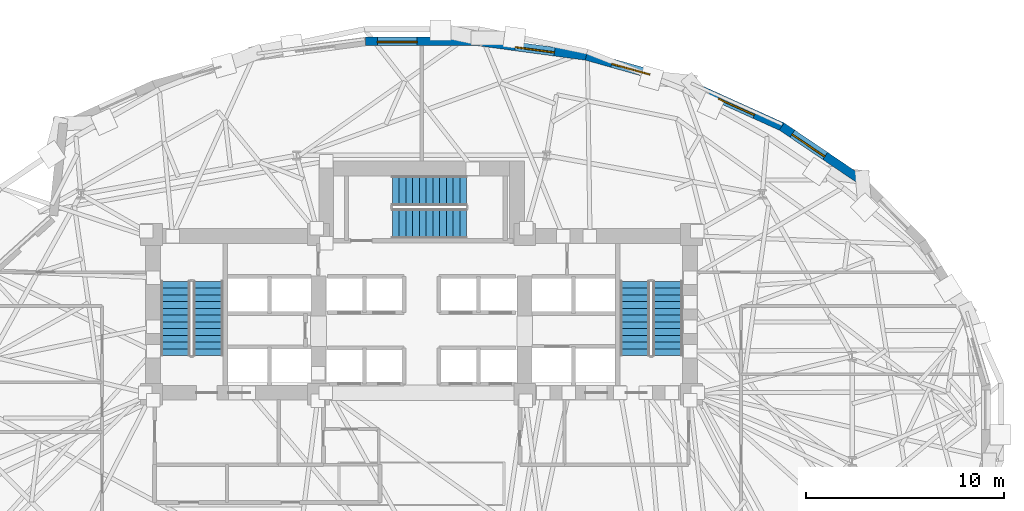
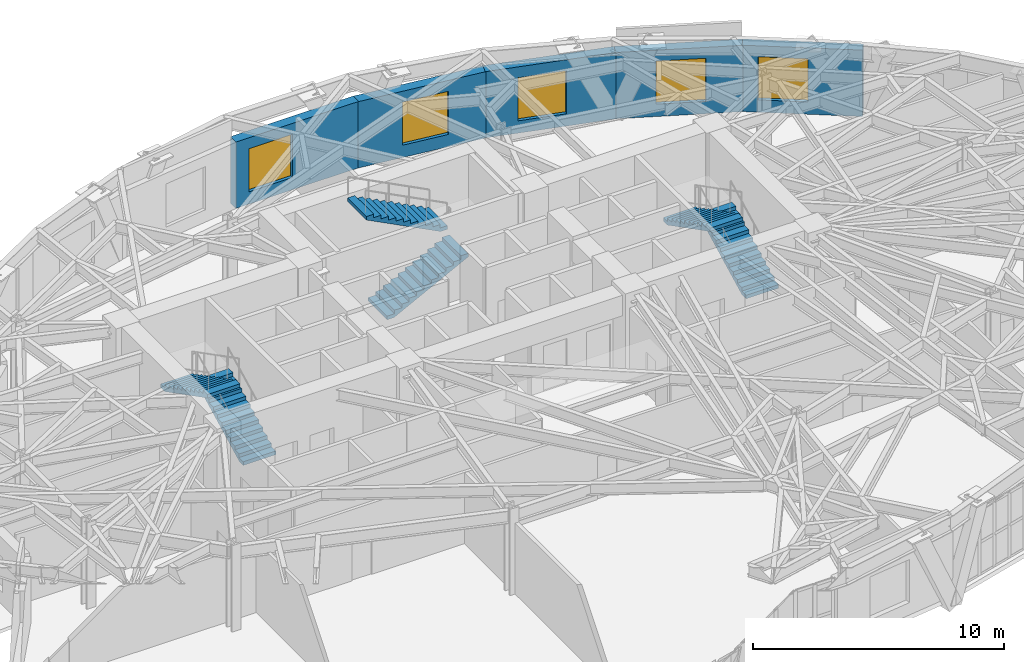
# One storey, part 16 of 20: 6 stair flights, 5 walls, 5 windows, 5 openings, 3 elements without a shape of their own.
"""IFC4 building model written with IfcOpenShell, lengths in metres."""

from ifc_helpers import new_model, si_unit, direction, frame, frame_2d, origin, place, context, subcontext, project, spatial, polyline, rectangle, outline, extrude, material, layer, layer_set, type_object, element, fill, aggregate, save


model = new_model("IFC4")

# Units and contexts
model_context = context("Model", 3, precision=1e-05, world=origin(), true_north=direction((0.0, 1.0)))
body_context = subcontext(model_context, "Body", "Model", "MODEL_VIEW")
ifc_project = project(units=[si_unit("LENGTHUNIT", "METRE"), si_unit("AREAUNIT", "SQUARE_METRE"), si_unit("VOLUMEUNIT", "CUBIC_METRE"), si_unit("PLANEANGLEUNIT", "RADIAN"), si_unit("MASSUNIT", "GRAM", prefix="KILO")], contexts=[model_context])

# Site, building, storey
site_placement = place(None, origin())
site = spatial("IfcSite", under=ifc_project, at=site_placement, CompositionType="ELEMENT")
building_placement = place(site_placement, origin())
building = spatial("IfcBuilding", under=site, at=building_placement, Name="Keldmark Tower", CompositionType="ELEMENT")
storey_placement = place(building_placement, frame((0.0, 0.0, 81.89990234375)))
storey = spatial("IfcBuildingStorey", under=building, at=storey_placement, Name="L21", CompositionType="ELEMENT", Elevation=81.89990234375)

# Wall, opening, window
ifc_material_1 = material(Name="Ironspot Manganese Brick and Kasota Buff Limestone Spandrel Assembly", Category="masonry")
ifc_layer = layer(ifc_material_1, 0.43994140625)
ifc_layer_set = layer_set([ifc_layer], Name="Ironspot Manganese Brick and Kasota Buff Limestone Spandrel Assembly")
wall_type = type_object("IfcWallType", Name="Tower Brick Pier and Spandrel Wall 440 mm", PredefinedType="STANDARD", material=ifc_layer_set)
wall_1_placement = place(storey_placement, frame((18.147216796875, 14.8916015625, 0.0), z_axis=(0.0, 0.0, 1.0), x_axis=(0.82804003003, -0.560668983151, 0.0)))
wall_1 = element("IfcWall", 1, at=wall_1_placement, inside=storey, type_object=wall_type, Name="L21 Exterior Brick and Spandrel Wall 04", PredefinedType="STANDARD", context=body_context, shape_type="SweptSolid", body=[
    extrude(rectangle(XDim=4.8212890625, YDim=0.43994140625, at=frame_2d((2.41064453125, 0.0))), origin(), (0.0, 0.0, 1.0), 3.232177734375),
])
opening_1_placement = place(wall_1_placement, frame((0.644775390625, 0.0, 0.60009765625)))
opening_1 = element("IfcOpeningElement", 2, at=opening_1_placement, cuts=wall_1, Name="Opening W-06", PredefinedType="OPENING", context=body_context, shape_type="SweptSolid", body=[
    extrude(rectangle(XDim=2.0, YDim=2.10009765625, at=frame_2d((1.0, 1.050048828125))), frame((0.0, 0.22998046875, 0.0), z_axis=(0.0, -1.0, 0.0), x_axis=(1.0, 0.0, 0.0)), (0.0, 0.0, 1.0), 0.4599609375),
])
ifc_material_2 = material(Name="Thermally Broken Anodized Aluminum and Triple Low-E Argon Glazing", Category="aluminium")
window_type = type_object("IfcWindowType", Name="Sky Lounge Tall Punched Window 2000x2100", PartitioningType="SINGLE_PANEL", PredefinedType="WINDOW", material=ifc_material_2)
window_1_placement = place(opening_1_placement, origin())
window_1 = element("IfcWindow", 3, at=window_1_placement, inside=storey, type_object=window_type, Name="L21 Deep-Set Window 04", OverallHeight=2.10009765625, OverallWidth=2.0, PartitioningType="SINGLE_PANEL", PredefinedType="WINDOW", context=body_context, shape_type="SweptSolid", body=[
    extrude(rectangle(XDim=2.0, YDim=2.10009765625, at=frame_2d((1.0, 1.050048828125))), frame((0.0, -0.010009765625, 0.0), z_axis=(0.0, -1.0, 0.0), x_axis=(1.0, 0.0, 0.0)), (0.0, 0.0, 1.0), 0.06005859375),
])
fill(opening_1, window_1)

wall_2_placement = place(storey_placement, frame((13.485595703125, 16.9970703125, 0.0), z_axis=(0.0, 0.0, 1.0), x_axis=(0.911088856004, -0.412210014999, 0.0)))
wall_2 = element("IfcWall", 4, at=wall_2_placement, inside=storey, type_object=wall_type, Name="L21 Exterior Brick and Spandrel Wall 05", PredefinedType="STANDARD", context=body_context, shape_type="SweptSolid", body=[
    extrude(rectangle(XDim=5.152099609375, YDim=0.43994140625, at=frame_2d((2.576171875, 0.0))), origin(), (0.0, 0.0, 1.0), 3.22802734375),
])
opening_2_placement = place(wall_2_placement, frame((1.625244140625, 0.0, 0.60009765625)))
opening_2 = element("IfcOpeningElement", 5, at=opening_2_placement, cuts=wall_2, Name="Opening W-06", PredefinedType="OPENING", context=body_context, shape_type="SweptSolid", body=[
    extrude(rectangle(XDim=2.0, YDim=2.10009765625, at=frame_2d((1.0, 1.050048828125))), frame((0.0, 0.22998046875, 0.0), z_axis=(0.0, -1.0, 0.0), x_axis=(1.0, 0.0, 0.0)), (0.0, 0.0, 1.0), 0.4599609375),
])
window_2_placement = place(opening_2_placement, origin())
window_2 = element("IfcWindow", 6, at=window_2_placement, inside=storey, type_object=window_type, Name="L21 Deep-Set Window 05", OverallHeight=2.10009765625, OverallWidth=2.0, PartitioningType="SINGLE_PANEL", PredefinedType="WINDOW", context=body_context, shape_type="SweptSolid", body=[
    extrude(rectangle(XDim=2.0, YDim=2.10009765625, at=frame_2d((1.0, 1.050048828125))), frame((0.0, -0.010009765625, 0.0), z_axis=(0.0, -1.0, 0.0), x_axis=(1.0, 0.0, 0.0)), (0.0, 0.0, 1.0), 0.06005859375),
])
fill(opening_2, window_2)

wall_3_placement = place(storey_placement, frame((8.30078125, 18.448486328125, 0.0), z_axis=(0.0, 0.0, 1.0), x_axis=(0.962849260033, -0.270039446109, 0.0)))
wall_3 = element("IfcWall", 7, at=wall_3_placement, inside=storey, type_object=wall_type, Name="L21 Exterior Brick and Spandrel Wall 06", PredefinedType="STANDARD", context=body_context, shape_type="SweptSolid", body=[
    extrude(rectangle(XDim=5.417236328125, YDim=0.43994140625, at=frame_2d((2.70849609375, 0.0))), origin(), (0.0, 0.0, 1.0), 3.22802734375),
])
opening_3_placement = place(wall_3_placement, frame((1.337646484375, 0.0, 0.60009765625)))
opening_3 = element("IfcOpeningElement", 8, at=opening_3_placement, cuts=wall_3, Name="Opening W-06", PredefinedType="OPENING", context=body_context, shape_type="SweptSolid", body=[
    extrude(rectangle(XDim=2.0, YDim=2.10009765625, at=frame_2d((1.0, 1.050048828125))), frame((0.0, 0.22998046875, 0.0), z_axis=(0.0, -1.0, 0.0), x_axis=(1.0, 0.0, 0.0)), (0.0, 0.0, 1.0), 0.4599609375),
])
window_3_placement = place(opening_3_placement, origin())
window_3 = element("IfcWindow", 9, at=window_3_placement, inside=storey, type_object=window_type, Name="L21 Deep-Set Window 06", OverallHeight=2.10009765625, OverallWidth=2.0, PartitioningType="SINGLE_PANEL", PredefinedType="WINDOW", context=body_context, shape_type="SweptSolid", body=[
    extrude(rectangle(XDim=2.0, YDim=2.10009765625, at=frame_2d((1.0, 1.050048828125))), frame((0.0, -0.010009765625, 0.0), z_axis=(0.0, -1.0, 0.0), x_axis=(1.0, 0.0, 0.0)), (0.0, 0.0, 1.0), 0.06005859375),
])
fill(opening_3, window_3)

wall_4_placement = place(storey_placement, frame((2.79345703125, 19.18798828125, 0.0), z_axis=(0.0, 0.0, 1.0), x_axis=(0.9910561058, -0.133445851026, 0.0)))
wall_4 = element("IfcWall", 10, at=wall_4_placement, inside=storey, type_object=wall_type, Name="L21 Exterior Brick and Spandrel Wall 07", PredefinedType="STANDARD", context=body_context, shape_type="SweptSolid", body=[
    extrude(rectangle(XDim=5.58740234375, YDim=0.43994140625, at=frame_2d((2.793701171875, 0.0))), origin(), (0.0, 0.0, 1.0), 3.22802734375),
])
opening_4_placement = place(wall_4_placement, frame((1.943115234375, 0.0, 0.60009765625)))
opening_4 = element("IfcOpeningElement", 11, at=opening_4_placement, cuts=wall_4, Name="Opening W-06", PredefinedType="OPENING", context=body_context, shape_type="SweptSolid", body=[
    extrude(rectangle(XDim=2.0, YDim=2.10009765625, at=frame_2d((1.0, 1.050048828125))), frame((0.0, 0.22998046875, 0.0), z_axis=(0.0, -1.0, 0.0), x_axis=(1.0, 0.0, 0.0)), (0.0, 0.0, 1.0), 0.4599609375),
])
window_4_placement = place(opening_4_placement, origin())
window_4 = element("IfcWindow", 12, at=window_4_placement, inside=storey, type_object=window_type, Name="L21 Deep-Set Window 07", OverallHeight=2.10009765625, OverallWidth=2.0, PartitioningType="SINGLE_PANEL", PredefinedType="WINDOW", context=body_context, shape_type="SweptSolid", body=[
    extrude(rectangle(XDim=2.0, YDim=2.10009765625, at=frame_2d((1.0, 1.050048828125))), frame((0.0, -0.010009765625, 0.0), z_axis=(0.0, -1.0, 0.0), x_axis=(1.0, 0.0, 0.0)), (0.0, 0.0, 1.0), 0.06005859375),
])
fill(opening_4, window_4)

wall_5_placement = place(storey_placement, frame((-2.822998046875, 19.18603515625, 0.0), z_axis=(0.0, 0.0, 1.0), x_axis=(1.0, 0.0, 0.0)))
wall_5 = element("IfcWall", 13, at=wall_5_placement, inside=storey, type_object=wall_type, Name="L21 Exterior Brick and Spandrel Wall 08", PredefinedType="STANDARD", context=body_context, shape_type="SweptSolid", body=[
    extrude(rectangle(XDim=5.64599609375, YDim=0.43994140625, at=frame_2d((2.822998046875, 0.0))), origin(), (0.0, 0.0, 1.0), 3.232177734375),
])
opening_5_placement = place(wall_5_placement, frame((0.599609375, 0.0, 0.60009765625)))
opening_5 = element("IfcOpeningElement", 14, at=opening_5_placement, cuts=wall_5, Name="Opening W-06", PredefinedType="OPENING", context=body_context, shape_type="SweptSolid", body=[
    extrude(rectangle(XDim=2.0, YDim=2.10009765625, at=frame_2d((1.0, 1.050048828125))), frame((0.0, 0.22998046875, 0.0), z_axis=(0.0, -1.0, 0.0), x_axis=(1.0, 0.0, 0.0)), (0.0, 0.0, 1.0), 0.4599609375),
])
window_5_placement = place(opening_5_placement, origin())
window_5 = element("IfcWindow", 15, at=window_5_placement, inside=storey, type_object=window_type, Name="L21 Deep-Set Window 08", OverallHeight=2.10009765625, OverallWidth=2.0, PartitioningType="SINGLE_PANEL", PredefinedType="WINDOW", context=body_context, shape_type="SweptSolid", body=[
    extrude(rectangle(XDim=2.0, YDim=2.10009765625, at=frame_2d((1.0, 1.050048828125))), frame((0.0, -0.010009765625, 0.0), z_axis=(0.0, -1.0, 0.0), x_axis=(1.0, 0.0, 0.0)), (0.0, 0.0, 1.0), 0.06005859375),
])
fill(opening_5, window_5)

# Stair, stair flights
ifc_material_3 = material(Name="Concrete C40/50", Category="concrete")
stair_type = type_object("IfcStairType", Name="Precast Concrete Core Exit Stair", PredefinedType="HALF_TURN_STAIR", material=ifc_material_3)
stair_1_placement = place(storey_placement, origin())
stair_1 = element("IfcStair", 16, at=stair_1_placement, inside=storey, type_object=stair_type, Name="L21 Exit Stair ST1", PredefinedType="HALF_TURN_STAIR")
ifc_material_4 = material(Name="Concrete C40/50", Category="concrete")
stair_flight_type = type_object("IfcStairFlightType", Name="Precast Concrete Stair Flight 1500 mm", PredefinedType="STRAIGHT", material=ifc_material_4)
stair_flight_1_placement = place(storey_placement, frame((-10.75, 3.35009765625, 0.0), z_axis=(0.0, 0.0, 1.0), x_axis=(0.0, 1.0, 0.0)))
stair_flight_1 = element("IfcStairFlight", 17, at=stair_flight_1_placement, type_object=stair_flight_type, Name="ST1 flight 1", NumberOfRisers=12, NumberOfTreads=11, PredefinedType="STRAIGHT", RiserHeight=0.175, TreadLength=0.34, context=body_context, shape_type="SweptSolid", body=[
    extrude(outline(polyline([(0.0, 0.0), (0.0, 0.175048828125), (0.340087890625, 0.175048828125), (0.340087890625, 0.35009765625), (0.679931640625, 0.35009765625), (0.679931640625, 0.52490234375), (1.02001953125, 0.52490234375), (1.02001953125, 0.699951171875), (1.360107421875, 0.699951171875), (1.360107421875, 0.875), (1.699951171875, 0.875), (1.699951171875, 1.050048828125), (2.0400390625, 1.050048828125), (2.0400390625, 1.22509765625), (2.3798828125, 1.22509765625), (2.3798828125, 1.39990234375), (2.719970703125, 1.39990234375), (2.719970703125, 1.574951171875), (3.06005859375, 1.574951171875), (3.06005859375, 1.75), (3.39990234375, 1.75), (3.39990234375, 1.925048828125), (3.739990234375, 1.925048828125), (3.739990234375, 2.10009765625), (3.739990234375, 1.75634765625), (0.32763671875, 0.0), (0.0, 0.0)])), frame((0.0, 0.75, 0.0), z_axis=(0.0, -1.0, 0.0), x_axis=(1.0, 0.0, 0.0)), (0.0, 0.0, 1.0), 1.5),
])
stair_flight_2_placement = place(storey_placement, frame((-12.39990234375, 7.090087890625, 2.10009765625), z_axis=(0.0, 0.0, 1.0), x_axis=(0.0, -1.0, 0.0)))
stair_flight_2 = element("IfcStairFlight", 18, at=stair_flight_2_placement, type_object=stair_flight_type, Name="ST1 flight 2", NumberOfRisers=12, NumberOfTreads=11, PredefinedType="STRAIGHT", RiserHeight=0.175, TreadLength=0.34, context=body_context, shape_type="SweptSolid", body=[
    extrude(outline(polyline([(0.0, 0.0), (0.0, 0.175048828125), (0.340087890625, 0.175048828125), (0.340087890625, 0.35009765625), (0.679931640625, 0.35009765625), (0.679931640625, 0.52490234375), (1.02001953125, 0.52490234375), (1.02001953125, 0.699951171875), (1.360107421875, 0.699951171875), (1.360107421875, 0.875), (1.699951171875, 0.875), (1.699951171875, 1.050048828125), (2.0400390625, 1.050048828125), (2.0400390625, 1.22509765625), (2.3798828125, 1.22509765625), (2.3798828125, 1.39990234375), (2.719970703125, 1.39990234375), (2.719970703125, 1.574951171875), (3.06005859375, 1.574951171875), (3.06005859375, 1.75), (3.39990234375, 1.75), (3.39990234375, 1.925048828125), (3.739990234375, 1.925048828125), (3.739990234375, 2.10009765625), (3.739990234375, 1.75634765625), (0.32763671875, 0.0), (0.0, 0.0)])), frame((0.0, 0.75, 0.0), z_axis=(0.0, -1.0, 0.0), x_axis=(1.0, 0.0, 0.0)), (0.0, 0.0, 1.0), 1.5),
])
aggregate(stair_1, [stair_flight_1, stair_flight_2])

stair_2_placement = place(storey_placement, origin())
stair_2 = element("IfcStair", 19, at=stair_2_placement, inside=storey, type_object=stair_type, Name="L21 Exit Stair ST2", PredefinedType="HALF_TURN_STAIR")
stair_flight_3_placement = place(storey_placement, frame((12.39990234375, 3.35009765625, 0.0), z_axis=(0.0, 0.0, 1.0), x_axis=(0.0, 1.0, 0.0)))
stair_flight_3 = element("IfcStairFlight", 20, at=stair_flight_3_placement, type_object=stair_flight_type, Name="ST2 flight 1", NumberOfRisers=12, NumberOfTreads=11, PredefinedType="STRAIGHT", RiserHeight=0.175, TreadLength=0.34, context=body_context, shape_type="SweptSolid", body=[
    extrude(outline(polyline([(0.0, 0.0), (0.0, 0.175048828125), (0.340087890625, 0.175048828125), (0.340087890625, 0.35009765625), (0.679931640625, 0.35009765625), (0.679931640625, 0.52490234375), (1.02001953125, 0.52490234375), (1.02001953125, 0.699951171875), (1.360107421875, 0.699951171875), (1.360107421875, 0.875), (1.699951171875, 0.875), (1.699951171875, 1.050048828125), (2.0400390625, 1.050048828125), (2.0400390625, 1.22509765625), (2.3798828125, 1.22509765625), (2.3798828125, 1.39990234375), (2.719970703125, 1.39990234375), (2.719970703125, 1.574951171875), (3.06005859375, 1.574951171875), (3.06005859375, 1.75), (3.39990234375, 1.75), (3.39990234375, 1.925048828125), (3.739990234375, 1.925048828125), (3.739990234375, 2.10009765625), (3.739990234375, 1.75634765625), (0.32763671875, 0.0), (0.0, 0.0)])), frame((0.0, 0.75, 0.0), z_axis=(0.0, -1.0, 0.0), x_axis=(1.0, 0.0, 0.0)), (0.0, 0.0, 1.0), 1.5),
])
stair_flight_4_placement = place(storey_placement, frame((10.75, 7.090087890625, 2.10009765625), z_axis=(0.0, 0.0, 1.0), x_axis=(0.0, -1.0, 0.0)))
stair_flight_4 = element("IfcStairFlight", 21, at=stair_flight_4_placement, type_object=stair_flight_type, Name="ST2 flight 2", NumberOfRisers=12, NumberOfTreads=11, PredefinedType="STRAIGHT", RiserHeight=0.175, TreadLength=0.34, context=body_context, shape_type="SweptSolid", body=[
    extrude(outline(polyline([(0.0, 0.0), (0.0, 0.175048828125), (0.340087890625, 0.175048828125), (0.340087890625, 0.35009765625), (0.679931640625, 0.35009765625), (0.679931640625, 0.52490234375), (1.02001953125, 0.52490234375), (1.02001953125, 0.699951171875), (1.360107421875, 0.699951171875), (1.360107421875, 0.875), (1.699951171875, 0.875), (1.699951171875, 1.050048828125), (2.0400390625, 1.050048828125), (2.0400390625, 1.22509765625), (2.3798828125, 1.22509765625), (2.3798828125, 1.39990234375), (2.719970703125, 1.39990234375), (2.719970703125, 1.574951171875), (3.06005859375, 1.574951171875), (3.06005859375, 1.75), (3.39990234375, 1.75), (3.39990234375, 1.925048828125), (3.739990234375, 1.925048828125), (3.739990234375, 2.10009765625), (3.739990234375, 1.75634765625), (0.32763671875, 0.0), (0.0, 0.0)])), frame((0.0, 0.75, 0.0), z_axis=(0.0, -1.0, 0.0), x_axis=(1.0, 0.0, 0.0)), (0.0, 0.0, 1.0), 1.5),
])
aggregate(stair_2, [stair_flight_3, stair_flight_4])

stair_3_placement = place(storey_placement, origin())
stair_3 = element("IfcStair", 22, at=stair_3_placement, inside=storey, type_object=stair_type, Name="L21 Exit Stair ST3", PredefinedType="HALF_TURN_STAIR")
stair_flight_5_placement = place(storey_placement, frame((-1.47509765625, 10.0, 0.0), z_axis=(0.0, 0.0, 1.0), x_axis=(1.0, 0.0, 0.0)))
stair_flight_5 = element("IfcStairFlight", 23, at=stair_flight_5_placement, type_object=stair_flight_type, Name="ST3 flight 1", NumberOfRisers=12, NumberOfTreads=11, PredefinedType="STRAIGHT", RiserHeight=0.175, TreadLength=0.34, context=body_context, shape_type="SweptSolid", body=[
    extrude(outline(polyline([(0.0, 0.0), (0.0, 0.175048828125), (0.340087890625, 0.175048828125), (0.340087890625, 0.35009765625), (0.679931640625, 0.35009765625), (0.679931640625, 0.52490234375), (1.02001953125, 0.52490234375), (1.02001953125, 0.699951171875), (1.360107421875, 0.699951171875), (1.360107421875, 0.875), (1.699951171875, 0.875), (1.699951171875, 1.050048828125), (2.0400390625, 1.050048828125), (2.0400390625, 1.22509765625), (2.3798828125, 1.22509765625), (2.3798828125, 1.39990234375), (2.719970703125, 1.39990234375), (2.719970703125, 1.574951171875), (3.06005859375, 1.574951171875), (3.06005859375, 1.75), (3.39990234375, 1.75), (3.39990234375, 1.925048828125), (3.739990234375, 1.925048828125), (3.739990234375, 2.10009765625), (3.739990234375, 1.75634765625), (0.32763671875, 0.0), (0.0, 0.0)])), frame((0.0, 0.75, 0.0), z_axis=(0.0, -1.0, 0.0), x_axis=(1.0, 0.0, 0.0)), (0.0, 0.0, 1.0), 1.5),
])
stair_flight_6_placement = place(storey_placement, frame((2.264892578125, 11.64990234375, 2.10009765625), z_axis=(0.0, 0.0, 1.0), x_axis=(-1.0, 0.0, 0.0)))
stair_flight_6 = element("IfcStairFlight", 24, at=stair_flight_6_placement, type_object=stair_flight_type, Name="ST3 flight 2", NumberOfRisers=12, NumberOfTreads=11, PredefinedType="STRAIGHT", RiserHeight=0.175, TreadLength=0.34, context=body_context, shape_type="SweptSolid", body=[
    extrude(outline(polyline([(0.0, 0.0), (0.0, 0.175048828125), (0.340087890625, 0.175048828125), (0.340087890625, 0.35009765625), (0.679931640625, 0.35009765625), (0.679931640625, 0.52490234375), (1.02001953125, 0.52490234375), (1.02001953125, 0.699951171875), (1.360107421875, 0.699951171875), (1.360107421875, 0.875), (1.699951171875, 0.875), (1.699951171875, 1.050048828125), (2.0400390625, 1.050048828125), (2.0400390625, 1.22509765625), (2.3798828125, 1.22509765625), (2.3798828125, 1.39990234375), (2.719970703125, 1.39990234375), (2.719970703125, 1.574951171875), (3.06005859375, 1.574951171875), (3.06005859375, 1.75), (3.39990234375, 1.75), (3.39990234375, 1.925048828125), (3.739990234375, 1.925048828125), (3.739990234375, 2.10009765625), (3.739990234375, 1.75634765625), (0.32763671875, 0.0), (0.0, 0.0)])), frame((0.0, 0.75, 0.0), z_axis=(0.0, -1.0, 0.0), x_axis=(1.0, 0.0, 0.0)), (0.0, 0.0, 1.0), 1.5),
])
aggregate(stair_3, [stair_flight_5, stair_flight_6])

save(model, "model.ifc")
